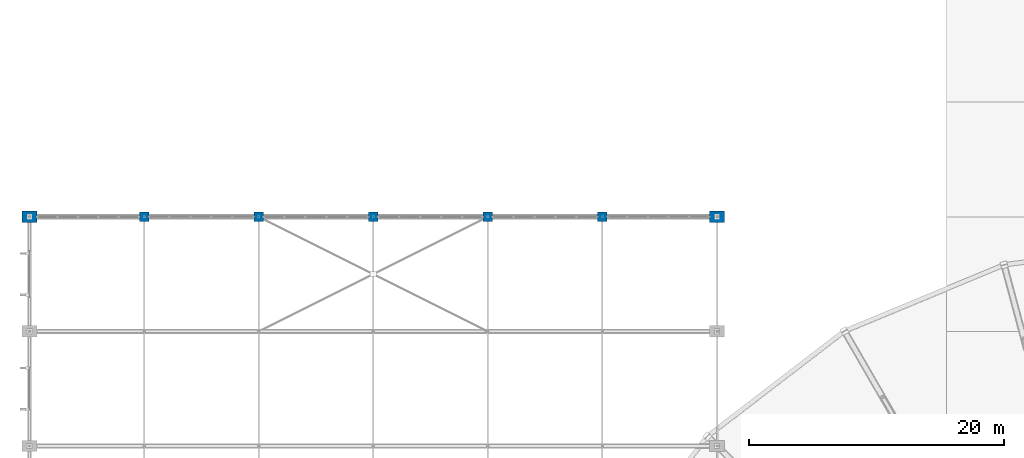
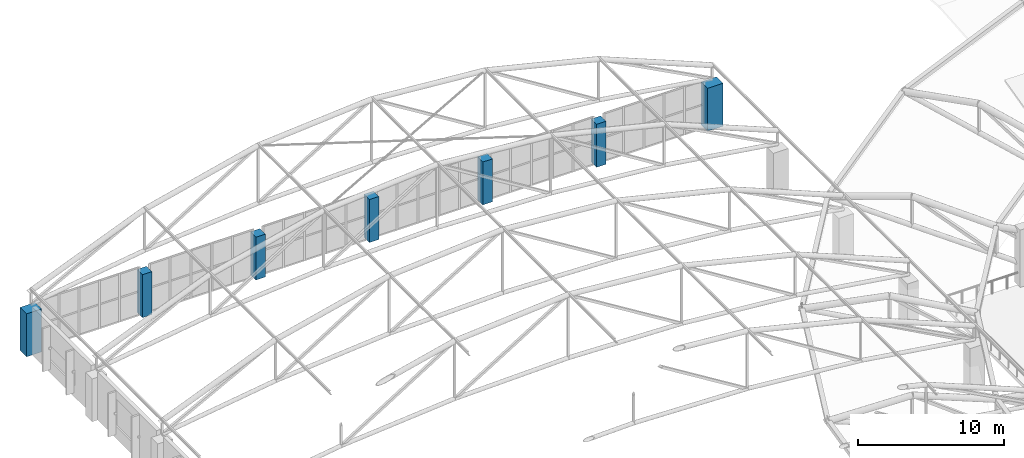
# One storey, part 3 of 167: 7 columns.
"""IFC4 building model written with IfcOpenShell, lengths in metres."""

from ifc_helpers import new_model, si_unit, direction, frame, origin, origin_2d, place, context, subcontext, project, spatial, rectangle, extrude, material, material_profile, profile_set, type_object, element, save


model = new_model("IFC4")

# Units and contexts
model_context = context("Model", 3, precision=1e-05, world=origin(), true_north=direction((0.0, 1.0)))
body_context = subcontext(model_context, "Body", "Model", "MODEL_VIEW")
ifc_project = project(units=[si_unit("LENGTHUNIT", "METRE"), si_unit("AREAUNIT", "SQUARE_METRE"), si_unit("VOLUMEUNIT", "CUBIC_METRE"), si_unit("PLANEANGLEUNIT", "RADIAN"), si_unit("MASSUNIT", "GRAM", prefix="KILO")], contexts=[model_context])

# Site, building, storey
site_placement = place(None, origin())
site = spatial("IfcSite", under=ifc_project, at=site_placement, CompositionType="ELEMENT")
building_placement = place(site_placement, origin())
building = spatial("IfcBuilding", under=site, at=building_placement, Name="Dornveld Trade and Exhibition Forum", CompositionType="ELEMENT")
storey_placement = place(building_placement, frame((0.0, 0.0, 16.800048828125)))
storey = spatial("IfcBuildingStorey", under=building, at=storey_placement, Name="L03", CompositionType="ELEMENT", Elevation=16.800048828125)

# Columns
ifc_material_1 = material(Name="Precast concrete C50/60", Category="concrete")
ifc_material_profile_1 = material_profile(ifc_material_1, rectangle(XDim=1.199951171875, YDim=0.89990234375, at=origin_2d()), Name="PC-PIER 1200x900")
ifc_profile_set_1 = profile_set([ifc_material_profile_1], Name="Precast concrete C50/60")
column_type_1 = type_object("IfcColumnType", Name="COL-PIER1200", PredefinedType="COLUMN", material=ifc_profile_set_1)
for number, where, z_axis, x_axis, name in (
    (1, (27.0, 135.0, 0.0), (0.0, 0.0, 1.0), (1.0, 0.0, 0.0), "L03 column (27.0, 135.0)"),
    (2, (81.0, 135.0, 0.0), (0.0, 0.0, 1.0), (1.0, 0.0, 0.0), "L03 column (81.0, 135.0)"),
):
    element("IfcColumn", number, at=place(storey_placement, frame(where, z_axis=z_axis, x_axis=x_axis)), inside=storey, type_object=column_type_1, Name=name, PredefinedType="COLUMN", context=body_context, shape_type="SweptSolid", body=[
        extrude(rectangle(XDim=1.199951171875, YDim=0.89990234375, at=origin_2d()), origin(), (0.0, 0.0, 1.0), 3.599853515625),
    ])
ifc_material_2 = material(Name="Precast concrete C50/60", Category="concrete")
ifc_material_profile_2 = material_profile(ifc_material_2, rectangle(XDim=0.75, YDim=0.75, at=origin_2d()), Name="PC-COL 750x750")
ifc_profile_set_2 = profile_set([ifc_material_profile_2], Name="Precast concrete C50/60")
column_type_2 = type_object("IfcColumnType", Name="COL-PILASTER750", PredefinedType="PILASTER", material=ifc_profile_set_2)
for number, where, z_axis, x_axis, name in (
    (3, (36.0, 135.0, 0.0), (0.0, 0.0, 1.0), (1.0, 0.0, 0.0), "L03 column (36.0, 135.0)"),
    (4, (45.0, 135.0, 0.0), (0.0, 0.0, 1.0), (1.0, 0.0, 0.0), "L03 column (45.0, 135.0)"),
    (5, (54.0, 135.0, 0.0), (0.0, 0.0, 1.0), (1.0, 0.0, 0.0), "L03 column (54.0, 135.0)"),
    (6, (63.0, 135.0, 0.0), (0.0, 0.0, 1.0), (1.0, 0.0, 0.0), "L03 column (63.0, 135.0)"),
    (7, (72.0, 135.0, 0.0), (0.0, 0.0, 1.0), (1.0, 0.0, 0.0), "L03 column (72.0, 135.0)"),
):
    element("IfcColumn", number, at=place(storey_placement, frame(where, z_axis=z_axis, x_axis=x_axis)), inside=storey, type_object=column_type_2, Name=name, PredefinedType="PILASTER", context=body_context, shape_type="SweptSolid", body=[
        extrude(rectangle(XDim=0.75, YDim=0.75, at=origin_2d()), origin(), (0.0, 0.0, 1.0), 3.599853515625),
    ])

save(model, "model.ifc")
